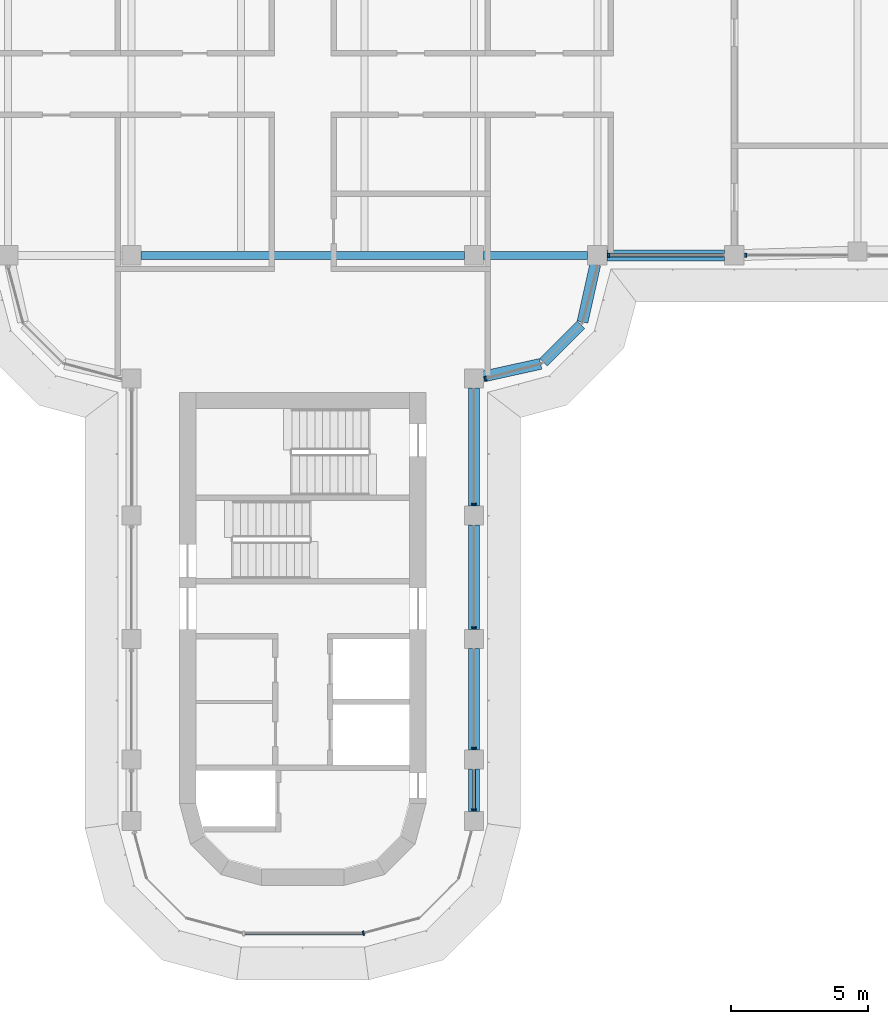
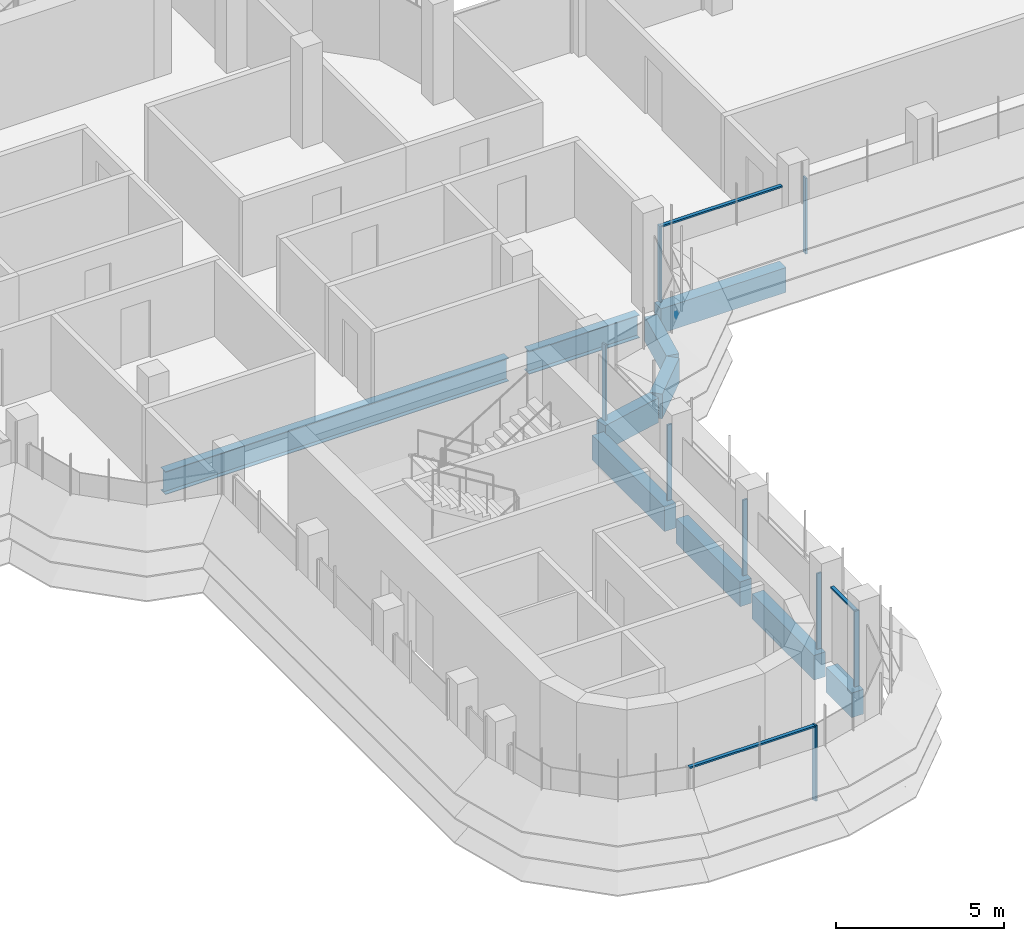
# One storey, part 4 of 19: 11 members, 10 beams, 5 elements without a shape of their own.
"""IFC4 building model written with IfcOpenShell, lengths in metres."""

from ifc_helpers import new_model, si_unit, direction, frame, origin, origin_2d, place, context, subcontext, project, spatial, polyline, rectangle, i_section, outline, extrude, source, transform, mapped, material, material_profile, profile_set, type_object, element, aggregate, save


model = new_model("IFC4")

# Units and contexts
model_context = context("Model", 3, precision=1e-05, world=origin(), true_north=direction((0.0, 1.0)))
body_context = subcontext(model_context, "Body", "Model", "MODEL_VIEW")
ifc_project = project(units=[si_unit("LENGTHUNIT", "METRE"), si_unit("AREAUNIT", "SQUARE_METRE"), si_unit("VOLUMEUNIT", "CUBIC_METRE"), si_unit("PLANEANGLEUNIT", "RADIAN"), si_unit("MASSUNIT", "GRAM", prefix="KILO")], contexts=[model_context])

# Site, building, storey
site_placement = place(None, origin())
site = spatial("IfcSite", under=ifc_project, at=site_placement, CompositionType="ELEMENT")
building_placement = place(site_placement, origin())
building = spatial("IfcBuilding", under=site, at=building_placement, Name="Zarbagh Exchange Tower", CompositionType="ELEMENT")
storey_placement = place(building_placement, frame((0.0, 0.0, 229.60009765625)))
storey = spatial("IfcBuildingStorey", under=building, at=storey_placement, Name="L56", CompositionType="ELEMENT", Elevation=229.60009765625)

# Beams
ifc_material_1 = material(Name="Steel ASTM A992 Gr 50", Category="steel")
ifc_material_profile_1 = material_profile(ifc_material_1, i_section(OverallWidth=0.2919921875, OverallDepth=0.835693359375, WebThickness=0.013916015625, FlangeThickness=0.018798828125, at=origin_2d()), Name="W33X118")
ifc_profile_set_1 = profile_set([ifc_material_profile_1], Name="Steel ASTM A992 Gr 50")
beam_type_1 = type_object("IfcBeamType", Name="Floor girder W33X118", PredefinedType="BEAM", material=ifc_profile_set_1)
beam_1_placement = place(storey_placement, frame((-5.89990234375, -6.25, -0.56787109375), z_axis=(1.0, 0.0, 0.0), x_axis=(0.0, 1.0, 0.0)))
element("IfcBeam", 1, at=beam_1_placement, inside=storey, type_object=beam_type_1, Name="Steel girder", PredefinedType="BEAM", context=body_context, shape_type="SweptSolid", body=[
    extrude(i_section(OverallWidth=0.2919921875, OverallDepth=0.835693359375, WebThickness=0.013916015625, FlangeThickness=0.018798828125, at=origin_2d()), origin(), (0.0, 0.0, 1.0), 11.7998046875),
])
beam_2_placement = place(storey_placement, frame((6.60009765625, -6.25, -0.56787109375), z_axis=(1.0, 0.0, 0.0), x_axis=(0.0, 1.0, 0.0)))
element("IfcBeam", 2, at=beam_2_placement, inside=storey, type_object=beam_type_1, Name="Steel girder", PredefinedType="BEAM", context=body_context, shape_type="SweptSolid", body=[
    extrude(i_section(OverallWidth=0.2919921875, OverallDepth=0.835693359375, WebThickness=0.013916015625, FlangeThickness=0.018798828125, at=origin_2d()), origin(), (0.0, 0.0, 1.0), 3.7998046875),
])
ifc_material_2 = material(Name="Concrete C50/60", Category="concrete")
ifc_material_profile_2 = material_profile(ifc_material_2, rectangle(XDim=0.39990234375, YDim=0.89990234375, at=origin_2d()), Name="RC spandrel beam 400 x 900 C50/60")
ifc_profile_set_2 = profile_set([ifc_material_profile_2], Name="Concrete C50/60")
beam_type_2 = type_object("IfcBeamType", Name="RC spandrel beam 400 x 900 C50/60", PredefinedType="SPANDREL", material=ifc_profile_set_2)
beam_3_placement = place(storey_placement, frame((15.39990234375, -6.25, -0.60009765625), z_axis=(-1.0, 0.0, 0.0), x_axis=(0.0, -1.0, 0.0)))
element("IfcBeam", 3, at=beam_3_placement, inside=storey, type_object=beam_type_2, Name="RC spandrel beam", PredefinedType="SPANDREL", context=body_context, shape_type="SweptSolid", body=[
    extrude(rectangle(XDim=0.39990234375, YDim=0.89990234375, at=origin_2d()), origin(), (0.0, 0.0, 1.0), 4.2998046875),
])
beam_4_placement = place(storey_placement, frame((10.67431640625, -6.591796875, -0.60009765625), z_axis=(-0.216013551096, -0.97639036545, 0.0), x_axis=(0.97639036545, -0.216013551096, 0.0)))
element("IfcBeam", 4, at=beam_4_placement, inside=storey, type_object=beam_type_2, Name="RC spandrel beam", PredefinedType="SPANDREL", context=body_context, shape_type="SweptSolid", body=[
    extrude(rectangle(XDim=0.39990234375, YDim=0.89990234375, at=origin_2d()), origin(), (0.0, 0.0, 1.0), 2.142822265625),
])
beam_5_placement = place(storey_placement, frame((10.15771484375, -8.782470703125, -0.60009765625), z_axis=(-0.707106781187, -0.707106781187, 0.0), x_axis=(0.707106781187, -0.707106781187, 0.0)))
element("IfcBeam", 5, at=beam_5_placement, inside=storey, type_object=beam_type_2, Name="RC spandrel beam", PredefinedType="SPANDREL", context=body_context, shape_type="SweptSolid", body=[
    extrude(rectangle(XDim=0.39990234375, YDim=0.89990234375, at=origin_2d()), origin(), (0.0, 0.0, 1.0), 1.94482421875),
])
beam_6_placement = place(storey_placement, frame((8.68408203125, -10.21142578125, -0.60009765625), z_axis=(-0.97639036545, -0.216013551096, 0.0), x_axis=(0.216013551096, -0.97639036545, 0.0)))
element("IfcBeam", 6, at=beam_6_placement, inside=storey, type_object=beam_type_2, Name="RC spandrel beam", PredefinedType="SPANDREL", context=body_context, shape_type="SweptSolid", body=[
    extrude(rectangle(XDim=0.39990234375, YDim=0.89990234375, at=origin_2d()), origin(), (0.0, 0.0, 1.0), 2.142822265625),
])
beam_7_placement = place(storey_placement, frame((6.25, -11.10009765625, -0.60009765625), z_axis=(0.0, -1.0, 0.0), x_axis=(1.0, 0.0, 0.0)))
element("IfcBeam", 7, at=beam_7_placement, inside=storey, type_object=beam_type_2, Name="RC spandrel beam", PredefinedType="SPANDREL", context=body_context, shape_type="SweptSolid", body=[
    extrude(rectangle(XDim=0.39990234375, YDim=0.89990234375, at=origin_2d()), origin(), (0.0, 0.0, 1.0), 4.2998046875),
])
beam_8_placement = place(storey_placement, frame((6.25, -16.10009765625, -0.60009765625), z_axis=(0.0, -1.0, 0.0), x_axis=(1.0, 0.0, 0.0)))
element("IfcBeam", 8, at=beam_8_placement, inside=storey, type_object=beam_type_2, Name="RC spandrel beam", PredefinedType="SPANDREL", context=body_context, shape_type="SweptSolid", body=[
    extrude(rectangle(XDim=0.39990234375, YDim=0.89990234375, at=origin_2d()), origin(), (0.0, 0.0, 1.0), 3.7998046875),
])
beam_9_placement = place(storey_placement, frame((6.25, -20.60009765625, -0.60009765625), z_axis=(0.0, -1.0, 0.0), x_axis=(1.0, 0.0, 0.0)))
element("IfcBeam", 9, at=beam_9_placement, inside=storey, type_object=beam_type_2, Name="RC spandrel beam", PredefinedType="SPANDREL", context=body_context, shape_type="SweptSolid", body=[
    extrude(rectangle(XDim=0.39990234375, YDim=0.89990234375, at=origin_2d()), origin(), (0.0, 0.0, 1.0), 3.699951171875),
])
beam_10_placement = place(storey_placement, frame((6.25, -25.0, -0.60009765625), z_axis=(0.0, -1.0, 0.0), x_axis=(1.0, 0.0, 0.0)))
element("IfcBeam", 10, at=beam_10_placement, inside=storey, type_object=beam_type_2, Name="RC spandrel beam", PredefinedType="SPANDREL", context=body_context, shape_type="SweptSolid", body=[
    extrude(rectangle(XDim=0.39990234375, YDim=0.89990234375, at=origin_2d()), origin(), (0.0, 0.0, 1.0), 1.550048828125),
])

# Curtain wall, member
ifc_material_3 = material(Name="Anodised aluminium frame and glazing", Category="aluminium")
curtain_wall_type = type_object("IfcCurtainWallType", Name="CWB Ribbon glazing, upper zones", PredefinedType="NOTDEFINED", material=ifc_material_3)
curtain_wall_1_placement = place(storey_placement, origin())
curtain_wall_1 = element("IfcCurtainWall", 11, at=curtain_wall_1_placement, inside=storey, type_object=curtain_wall_type, Name="CWB49 curtain wall", PredefinedType="NOTDEFINED")
ifc_material_4 = material(Name="Anodised aluminium frame", Category="aluminium")
member_type_1 = type_object("IfcMemberType", Name="MUB Mullion, anodised aluminium frame", PredefinedType="MULLION", material=ifc_material_4)
shared_shape_1 = source(origin(), body_context, "Body", "SweptSolid", [
    extrude(outline(polyline([(0.0, -0.080078125), (0.06005859375, -0.080078125), (0.06005859375, 0.080078125), (0.0, 0.080078125), (0.0, -0.080078125)])), origin(), (0.0, 0.0, 1.0), 2.75),
])
placement = place(storey_placement, origin())
member_1 = element("IfcMember", 12, at=placement, type_object=member_type_1, Name="CWB49 mullion 1.1", PredefinedType="MULLION", context=body_context, shape_type="MappedRepresentation", body=[
    mapped(shared_shape_1, transform((2.18408203125, -31.0, 0.0), x_axis=(0.965924289636, 0.258824779902, 0.0), y_axis=(-0.258824779902, 0.965924289636, 0.0), z_axis=(0.0, 0.0, 1.0))),
])
aggregate(curtain_wall_1, [member_1])

# Curtain wall, members
curtain_wall_2_placement = place(storey_placement, origin())
curtain_wall_2 = element("IfcCurtainWall", 13, at=curtain_wall_2_placement, inside=storey, type_object=curtain_wall_type, Name="CWB52 curtain wall", PredefinedType="NOTDEFINED")
member_2 = element("IfcMember", 14, at=placement, type_object=member_type_1, Name="CWB52 mullion 1.1", PredefinedType="MULLION", context=body_context, shape_type="MappedRepresentation", body=[
    mapped(shared_shape_1, transform((6.25, -26.510009765625, 0.0), x_axis=(0.0, 1.0, 0.0), y_axis=(-1.0, 0.0, 0.0), z_axis=(0.0, 0.0, 1.0))),
])
member_3 = element("IfcMember", 15, at=placement, type_object=member_type_1, Name="CWB52 mullion 2.1", PredefinedType="MULLION", context=body_context, shape_type="MappedRepresentation", body=[
    mapped(shared_shape_1, transform((6.25, -24.260009765625, 0.0), x_axis=(0.0, 1.0, 0.0), y_axis=(-1.0, 0.0, 0.0), z_axis=(0.0, 0.0, 1.0))),
])
member_4 = element("IfcMember", 16, at=placement, type_object=member_type_1, Name="CWB52 mullion 3.1", PredefinedType="MULLION", context=body_context, shape_type="MappedRepresentation", body=[
    mapped(shared_shape_1, transform((6.25, -19.85986328125, 0.0), x_axis=(0.0, 1.0, 0.0), y_axis=(-1.0, 0.0, 0.0), z_axis=(0.0, 0.0, 1.0))),
])
member_5 = element("IfcMember", 17, at=placement, type_object=member_type_1, Name="CWB52 mullion 4.1", PredefinedType="MULLION", context=body_context, shape_type="MappedRepresentation", body=[
    mapped(shared_shape_1, transform((6.25, -15.35986328125, 0.0), x_axis=(0.0, 1.0, 0.0), y_axis=(-1.0, 0.0, 0.0), z_axis=(0.0, 0.0, 1.0))),
])

# Curtain wall, member
curtain_wall_3_placement = place(storey_placement, origin())
curtain_wall_3 = element("IfcCurtainWall", 18, at=curtain_wall_3_placement, inside=storey, type_object=curtain_wall_type, Name="CWB05 curtain wall", PredefinedType="NOTDEFINED")
member_6 = element("IfcMember", 19, at=placement, type_object=member_type_1, Name="CWB05 mullion 1.1", PredefinedType="MULLION", context=body_context, shape_type="MappedRepresentation", body=[
    mapped(shared_shape_1, transform((6.64013671875, -10.76171875, 0.0), x_axis=(0.965924289636, 0.258824779902, 0.0), y_axis=(-0.258824779902, 0.965924289636, 0.0), z_axis=(0.0, 0.0, 1.0))),
])
aggregate(curtain_wall_3, [member_6])

# Curtain wall, members
curtain_wall_4_placement = place(storey_placement, origin())
curtain_wall_4 = element("IfcCurtainWall", 20, at=curtain_wall_4_placement, inside=storey, type_object=curtain_wall_type, Name="CWB08 curtain wall", PredefinedType="NOTDEFINED")
member_7 = element("IfcMember", 21, at=placement, type_object=member_type_1, Name="CWB08 mullion 1.1", PredefinedType="MULLION", context=body_context, shape_type="MappedRepresentation", body=[
    mapped(shared_shape_1, transform((11.14013671875, -6.25, 0.0), x_axis=(1.0, 0.0, 0.0), y_axis=(0.0, 1.0, 0.0), z_axis=(0.0, 0.0, 1.0))),
])
member_8 = element("IfcMember", 22, at=placement, type_object=member_type_1, Name="CWB08 mullion 2.1", PredefinedType="MULLION", context=body_context, shape_type="MappedRepresentation", body=[
    mapped(shared_shape_1, transform((16.14013671875, -6.25, 0.0), x_axis=(1.0, 0.0, 0.0), y_axis=(0.0, 1.0, 0.0), z_axis=(0.0, 0.0, 1.0))),
])

# Curtain wall, member
curtain_wall_5_placement = place(storey_placement, origin())
curtain_wall_5 = element("IfcCurtainWall", 23, at=curtain_wall_5_placement, inside=storey, type_object=curtain_wall_type, Name="CWB57 curtain wall", PredefinedType="NOTDEFINED")
member_type_2 = type_object("IfcMemberType", Name="TRB Transom, anodised aluminium frame", PredefinedType="USERDEFINED", material=ifc_material_4)
shared_shape_2 = source(origin(), body_context, "Body", "SweptSolid", [
    extrude(outline(polyline([(-0.06005859375, -0.06005859375), (0.0, -0.06005859375), (0.0, 0.06005859375), (-0.06005859375, 0.06005859375), (-0.06005859375, -0.06005859375)])), origin(), (0.0, 0.0, 1.0), 4.308349609375),
])
member_9 = element("IfcMember", 24, at=placement, type_object=member_type_2, Name="CWB57 transom 1.1", ObjectType="TRANSOM", PredefinedType="USERDEFINED", context=body_context, shape_type="MappedRepresentation", body=[
    mapped(shared_shape_2, transform((-2.124267578125, -31.0, 2.75), x_axis=(0.0, 0.0, 1.0), y_axis=(0.0, -1.0, 0.0), z_axis=(1.0, 0.0, 0.0))),
])
aggregate(curtain_wall_5, [member_9])

# Member
shared_shape_3 = source(origin(), body_context, "Body", "SweptSolid", [
    extrude(outline(polyline([(-0.06005859375, -0.06005859375), (0.0, -0.06005859375), (0.0, 0.06005859375), (-0.06005859375, 0.06005859375), (-0.06005859375, -0.06005859375)])), origin(), (0.0, 0.0, 1.0), 1.409912109375),
])
member_10 = element("IfcMember", 25, at=placement, type_object=member_type_2, Name="CWB52 transom 1.1", ObjectType="TRANSOM", PredefinedType="USERDEFINED", context=body_context, shape_type="MappedRepresentation", body=[
    mapped(shared_shape_3, transform((6.25, -26.449951171875, 2.75), x_axis=(0.0, 0.0, 1.0), y_axis=(1.0, 0.0, 0.0), z_axis=(0.0, 1.0, 0.0))),
])

aggregate(curtain_wall_2, [member_2, member_10, member_3, member_4, member_5])

shared_shape_4 = source(origin(), body_context, "Body", "SweptSolid", [
    extrude(outline(polyline([(-0.06005859375, -0.06005859375), (0.0, -0.06005859375), (0.0, 0.06005859375), (-0.06005859375, 0.06005859375), (-0.06005859375, -0.06005859375)])), origin(), (0.0, 0.0, 1.0), 4.159912109375),
])
member_11 = element("IfcMember", 26, at=placement, type_object=member_type_2, Name="CWB08 transom 1.1", ObjectType="TRANSOM", PredefinedType="USERDEFINED", context=body_context, shape_type="MappedRepresentation", body=[
    mapped(shared_shape_4, transform((11.199951171875, -6.25, 2.75), x_axis=(0.0, 0.0, 1.0), y_axis=(0.0, -1.0, 0.0), z_axis=(1.0, 0.0, 0.0))),
])

aggregate(curtain_wall_4, [member_7, member_11, member_8])

save(model, "model.ifc")
